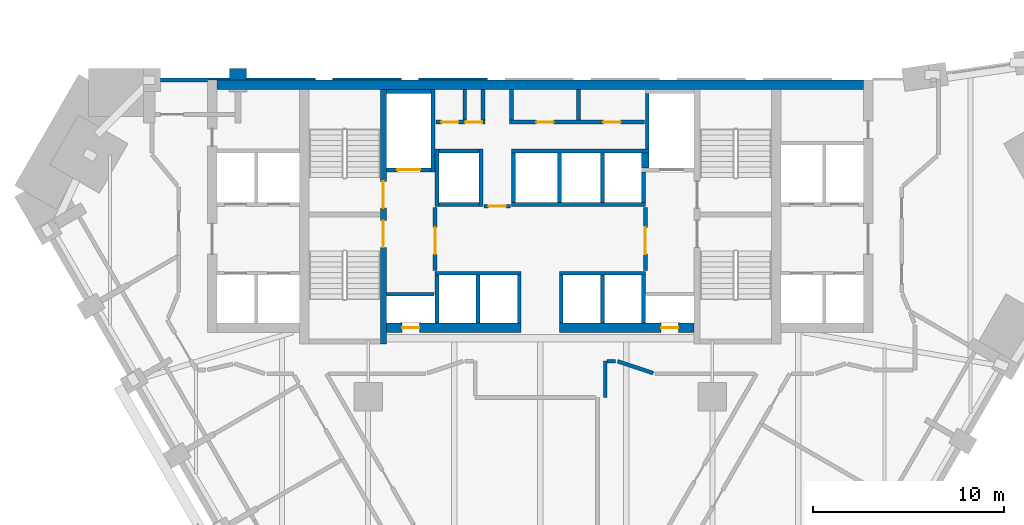
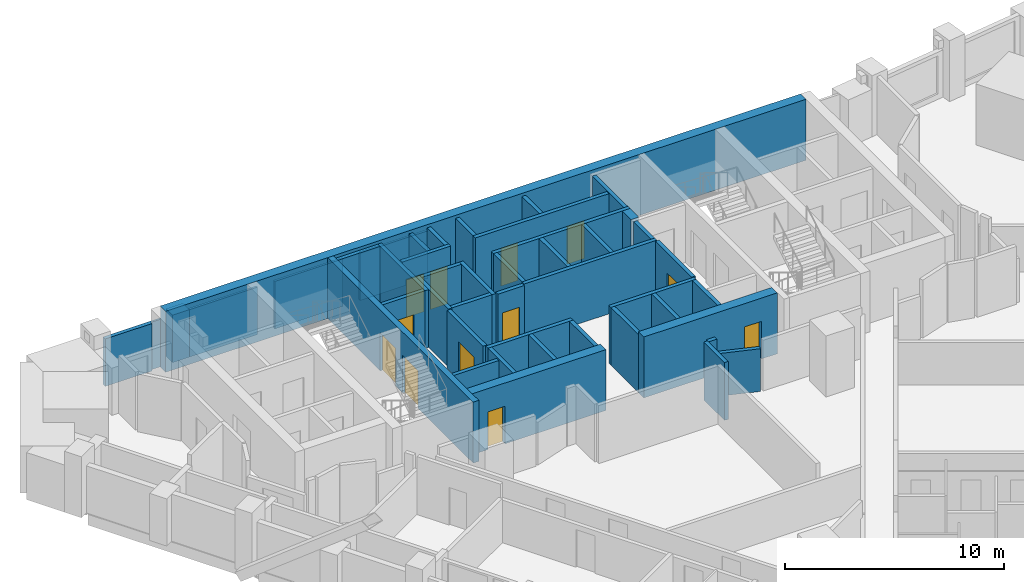
# One storey, part 7 of 11: 45 walls, 12 doors, 12 openings.
"""IFC4 building model written with IfcOpenShell, lengths in metres."""

from ifc_helpers import new_model, si_unit, direction, frame, frame_2d, origin, place, context, subcontext, project, spatial, polyline, rectangle, outline, extrude, material, layer, layer_set, type_object, element, fill, save


model = new_model("IFC4")

# Units and contexts
model_context = context("Model", 3, precision=1e-05, world=origin(), true_north=direction((0.0, 1.0)))
body_context = subcontext(model_context, "Body", "Model", "MODEL_VIEW")
ifc_project = project(units=[si_unit("LENGTHUNIT", "METRE"), si_unit("AREAUNIT", "SQUARE_METRE"), si_unit("VOLUMEUNIT", "CUBIC_METRE"), si_unit("PLANEANGLEUNIT", "RADIAN"), si_unit("MASSUNIT", "GRAM", prefix="KILO")], contexts=[model_context])

# Site, building, storey
site_placement = place(None, origin())
site = spatial("IfcSite", under=ifc_project, at=site_placement, CompositionType="ELEMENT")
building_placement = place(site_placement, origin())
building = spatial("IfcBuilding", under=site, at=building_placement, Name="Calabash Gate Tower", CompositionType="ELEMENT")
storey_placement = place(building_placement, frame((0.0, 0.0, 98.60009765625)))
storey = spatial("IfcBuildingStorey", under=building, at=storey_placement, Name="L21", CompositionType="ELEMENT", Elevation=98.60009765625)

# Walls
ifc_material_1 = material(Name="Terracotta brick masonry, exposed face", Category="masonry")
ifc_layer_1 = layer(ifc_material_1, 1.199951171875)
ifc_layer_set_1 = layer_set([ifc_layer_1], Name="Brick end wall 1200")
wall_type_1 = type_object("IfcWallType", Name="Brick end wall 1200", PredefinedType="SOLIDWALL", material=ifc_layer_set_1)
wall_1_placement = place(storey_placement, origin())
element("IfcWall", 1, at=wall_1_placement, inside=storey, type_object=wall_type_1, Name="Brick pier S05 N6.7a", PredefinedType="SOLIDWALL", context=body_context, shape_type="SweptSolid", body=[
    extrude(outline(polyline([(-15.35498046875, 19.052490234375), (-15.35498046875, 19.652587890625), (-16.255126953125, 19.652587890625), (-16.255126953125, 19.052490234375), (-15.35498046875, 19.052490234375)])), origin(), (0.0, 0.0, 1.0), 2.64990234375),
])
ifc_material_2 = material(Name="Gypsum board on steel studs, mineral wool", Category="steel")
ifc_layer_2 = layer(ifc_material_2, 0.199951171875)
ifc_layer_set_2 = layer_set([ifc_layer_2], Name="Core partition 200 gypsum board")
wall_type_2 = type_object("IfcWallType", Name="Core partition 200 gypsum board", PredefinedType="PARTITIONING", material=ifc_layer_set_2)
for number, where, z_axis, x_axis, name in (
    (2, (-3.949951171875, 16.95263671875, 0.0), (0.0, 0.0, 1.0), (0.0, 1.0, 0.0), "Core partition"),
    (3, (-3.0, 16.95263671875, 0.0), (0.0, 0.0, 1.0), (0.0, 1.0, 0.0), "Core partition"),
    (4, (-1.5, 16.95263671875, 0.0), (0.0, 0.0, 1.0), (0.0, 1.0, 0.0), "Core partition"),
    (5, (2.0, 16.95263671875, 0.0), (0.0, 0.0, 1.0), (0.0, 1.0, 0.0), "Core partition"),
):
    element("IfcWall", number, at=place(storey_placement, frame(where, z_axis=z_axis, x_axis=x_axis)), inside=storey, type_object=wall_type_2, Name=name, PredefinedType="PARTITIONING", context=body_context, shape_type="SweptSolid", body=[
        extrude(rectangle(XDim=1.599853515625, YDim=0.199951171875, at=frame_2d((0.7998046875, 0.0))), origin(), (0.0, 0.0, 1.0), 3.22998046875),
    ])

# Wall, openings, doors
ifc_material_3 = material(Name="Concrete C80/95", Category="concrete")
ifc_layer_3 = layer(ifc_material_3, 0.300048828125)
ifc_layer_set_3 = layer_set([ifc_layer_3], Name="Core wall 300 Concrete C80/95")
wall_type_3 = type_object("IfcWallType", Name="Core wall 300 Concrete C80/95", PredefinedType="SHEAR", material=ifc_layer_set_3)
wall_2_placement = place(storey_placement, frame((-8.199951171875, 5.252685546875, 0.0), z_axis=(0.0, 0.0, 1.0), x_axis=(0.0, 1.0, 0.0)))
wall_2 = element("IfcWall", 6, at=wall_2_placement, inside=storey, type_object=wall_type_3, Name="Core wall Z2-PARTW L21", PredefinedType="SHEAR", context=body_context, shape_type="SweptSolid", body=[
    extrude(rectangle(XDim=13.2998046875, YDim=0.300048828125, at=frame_2d((6.64990234375, 0.0))), origin(), (0.0, 0.0, 1.0), 3.39990234375),
])
opening_1_placement = place(wall_2_placement, frame((7.10009765625, 0.0, 0.0)))
opening_1 = element("IfcOpeningElement", 7, at=opening_1_placement, cuts=wall_2, Name="Opening H5-014", PredefinedType="OPENING", context=body_context, shape_type="SweptSolid", body=[
    extrude(rectangle(XDim=1.39990234375, YDim=2.10009765625, at=frame_2d((0.699951171875, 1.050048828125))), frame((0.0, 0.159912109375, 0.0), z_axis=(0.0, -1.0, 0.0), x_axis=(1.0, 0.0, 0.0)), (0.0, 0.0, 1.0), 0.320068359375),
])
opening_2_placement = place(wall_2_placement, frame((5.050048828125, 0.0, 0.0)))
opening_2 = element("IfcOpeningElement", 8, at=opening_2_placement, cuts=wall_2, Name="Opening H5-015", PredefinedType="OPENING", context=body_context, shape_type="SweptSolid", body=[
    extrude(rectangle(XDim=1.39990234375, YDim=2.10009765625, at=frame_2d((0.699951171875, 1.050048828125))), frame((0.0, 0.159912109375, 0.0), z_axis=(0.0, -1.0, 0.0), x_axis=(1.0, 0.0, 0.0)), (0.0, 0.0, 1.0), 0.320068359375),
])
ifc_material_4 = material(Name="Steel fire door set with fire-resisting glazing", Category="steel")
door_type_1 = type_object("IfcDoorType", Name="Fire door D05 1400x2100 FD90", OperationType="NOTDEFINED", PredefinedType="DOOR", material=ifc_material_4)
door_1_placement = place(opening_1_placement, origin())
door_1 = element("IfcDoor", 9, at=door_1_placement, inside=storey, type_object=door_type_1, Name="Exit stair door ST1", OperationType="SINGLE_SWING_LEFT", OverallHeight=2.10009765625, OverallWidth=1.39990234375, PredefinedType="DOOR", context=body_context, shape_type="SweptSolid", body=[
    extrude(rectangle(XDim=1.39990234375, YDim=2.10009765625, at=frame_2d((0.699951171875, 1.050048828125))), frame((0.0, 0.02490234375, 0.0), z_axis=(0.0, -1.0, 0.0), x_axis=(1.0, 0.0, 0.0)), (0.0, 0.0, 1.0), 0.050048828125),
])
fill(opening_1, door_1)
door_2_placement = place(opening_2_placement, origin())
door_2 = element("IfcDoor", 10, at=door_2_placement, inside=storey, type_object=door_type_1, Name="Exit stair door ST2", OperationType="SINGLE_SWING_LEFT", OverallHeight=2.10009765625, OverallWidth=1.39990234375, PredefinedType="DOOR", context=body_context, shape_type="SweptSolid", body=[
    extrude(rectangle(XDim=1.39990234375, YDim=2.10009765625, at=frame_2d((0.699951171875, 1.050048828125))), frame((0.0, 0.02490234375, 0.0), z_axis=(0.0, -1.0, 0.0), x_axis=(1.0, 0.0, 0.0)), (0.0, 0.0, 1.0), 0.050048828125),
])
fill(opening_2, door_2)

# Wall
ifc_material_5 = material(Name="Concrete C80/95", Category="concrete")
ifc_layer_4 = layer(ifc_material_5, 0.5)
ifc_layer_set_4 = layer_set([ifc_layer_4], Name="Core wall 500 Concrete C80/95")
wall_type_4 = type_object("IfcWallType", Name="Core wall 500 Concrete C80/95", PredefinedType="SHEAR", material=ifc_layer_set_4)
wall_3_placement = place(storey_placement, frame((-16.89990234375, 18.802490234375, 0.0), z_axis=(0.0, 0.0, 1.0), x_axis=(1.0, 0.0, 0.0)))
element("IfcWall", 11, at=wall_3_placement, inside=storey, type_object=wall_type_4, Name="Core wall Z2-N L21", PredefinedType="SHEAR", context=body_context, shape_type="SweptSolid", body=[
    extrude(rectangle(XDim=33.7998046875, YDim=0.5, at=frame_2d((16.89990234375, 0.0))), origin(), (0.0, 0.0, 1.0), 3.39990234375),
])

# Wall, opening, door
wall_4_placement = place(storey_placement, frame((-8.050048828125, 6.1025390625, 0.0), z_axis=(0.0, 0.0, 1.0), x_axis=(1.0, 0.0, 0.0)))
wall_4 = element("IfcWall", 12, at=wall_4_placement, inside=storey, type_object=wall_type_4, Name="Core wall Z2-SA L21", PredefinedType="SHEAR", context=body_context, shape_type="SweptSolid", body=[
    extrude(rectangle(XDim=7.050048828125, YDim=0.5, at=frame_2d((3.52490234375, 0.0))), origin(), (0.0, 0.0, 1.0), 3.39990234375),
])
opening_3_placement = place(wall_4_placement, frame((0.824951171875, 0.0, 0.0)))
opening_3 = element("IfcOpeningElement", 13, at=opening_3_placement, cuts=wall_4, Name="Opening H5-013", PredefinedType="OPENING", context=body_context, shape_type="SweptSolid", body=[
    extrude(rectangle(XDim=0.89990234375, YDim=2.10009765625, at=frame_2d((0.449951171875, 1.050048828125))), frame((0.0, 0.260009765625, 0.0), z_axis=(0.0, -1.0, 0.0), x_axis=(1.0, 0.0, 0.0)), (0.0, 0.0, 1.0), 0.52001953125),
])
ifc_material_6 = material(Name="Steel fire door set with fire-resisting glazing", Category="steel")
door_type_2 = type_object("IfcDoorType", Name="Fire door D07 900x2100 FD90", OperationType="NOTDEFINED", PredefinedType="DOOR", material=ifc_material_6)
door_3_placement = place(opening_3_placement, origin())
door_3 = element("IfcDoor", 14, at=door_3_placement, inside=storey, type_object=door_type_2, Name="Electrical Riser W door", OperationType="SINGLE_SWING_LEFT", OverallHeight=2.10009765625, OverallWidth=0.89990234375, PredefinedType="DOOR", context=body_context, shape_type="SweptSolid", body=[
    extrude(rectangle(XDim=0.89990234375, YDim=2.10009765625, at=frame_2d((0.449951171875, 1.050048828125))), frame((0.0, 0.02490234375, 0.0), z_axis=(0.0, -1.0, 0.0), x_axis=(1.0, 0.0, 0.0)), (0.0, 0.0, 1.0), 0.050048828125),
])
fill(opening_3, door_3)

wall_5_placement = place(storey_placement, frame((1.0, 6.1025390625, 0.0), z_axis=(0.0, 0.0, 1.0), x_axis=(1.0, 0.0, 0.0)))
wall_5 = element("IfcWall", 15, at=wall_5_placement, inside=storey, type_object=wall_type_4, Name="Core wall Z2-SB L21", PredefinedType="SHEAR", context=body_context, shape_type="SweptSolid", body=[
    extrude(rectangle(XDim=7.050048828125, YDim=0.5, at=frame_2d((3.52490234375, 0.0))), origin(), (0.0, 0.0, 1.0), 3.39990234375),
])
opening_4_placement = place(wall_5_placement, frame((5.324951171875, 0.0, 0.0)))
opening_4 = element("IfcOpeningElement", 16, at=opening_4_placement, cuts=wall_5, Name="Opening H5-012", PredefinedType="OPENING", context=body_context, shape_type="SweptSolid", body=[
    extrude(rectangle(XDim=0.89990234375, YDim=2.10009765625, at=frame_2d((0.449951171875, 1.050048828125))), frame((0.0, 0.260009765625, 0.0), z_axis=(0.0, -1.0, 0.0), x_axis=(1.0, 0.0, 0.0)), (0.0, 0.0, 1.0), 0.52001953125),
])
door_4_placement = place(opening_4_placement, origin())
door_4 = element("IfcDoor", 17, at=door_4_placement, inside=storey, type_object=door_type_2, Name="Mechanical Riser E door", OperationType="SINGLE_SWING_RIGHT", OverallHeight=2.10009765625, OverallWidth=0.89990234375, PredefinedType="DOOR", context=body_context, shape_type="SweptSolid", body=[
    extrude(rectangle(XDim=0.89990234375, YDim=2.10009765625, at=frame_2d((0.449951171875, 1.050048828125))), frame((0.0, 0.02490234375, 0.0), z_axis=(0.0, -1.0, 0.0), x_axis=(1.0, 0.0, 0.0)), (0.0, 0.0, 1.0), 0.050048828125),
])
fill(opening_4, door_4)

# Walls
ifc_material_7 = material(Name="Gypsum board on steel studs, mineral wool", Category="steel")
ifc_layer_5 = layer(ifc_material_7, 0.199951171875)
ifc_layer_set_5 = layer_set([ifc_layer_5], Name="Partition 200 gypsum board EI 60")
wall_type_5 = type_object("IfcWallType", Name="Partition 200 gypsum board EI 60", PredefinedType="PARTITIONING", material=ifc_layer_set_5)
wall_6_placement = place(storey_placement, frame((4.042236328125, 4.352294921875, 0.0), z_axis=(0.0, 0.0, 1.0), x_axis=(0.948695731075, -0.316190464499, 0.0)))
element("IfcWall", 18, at=wall_6_placement, inside=storey, type_object=wall_type_5, Name="Partition", PredefinedType="PARTITIONING", context=body_context, shape_type="SweptSolid", body=[
    extrude(rectangle(XDim=1.963623046875, YDim=0.199951171875, at=frame_2d((0.98193359375, 0.0))), origin(), (0.0, 0.0, 1.0), 2.384033203125),
])
wall_7_placement = place(storey_placement, frame((3.400146484375, 2.452392578125, 0.0), z_axis=(0.0, 0.0, 1.0), x_axis=(0.001028938362, 0.999999470643, 0.0)))
element("IfcWall", 19, at=wall_7_placement, inside=storey, type_object=wall_type_5, Name="Partition", PredefinedType="PARTITIONING", context=body_context, shape_type="SweptSolid", body=[
    extrude(rectangle(XDim=1.898193359375, YDim=0.199951171875, at=frame_2d((0.94921875, 0.0))), origin(), (0.0, 0.0, 1.0), 3.22998046875),
])
wall_8_placement = place(storey_placement, frame((3.501953125, 4.350830078125, 0.0), z_axis=(0.0, 0.0, 1.0), x_axis=(0.999996159087, 0.00277160798, 0.0)))
element("IfcWall", 20, at=wall_8_placement, inside=storey, type_object=wall_type_5, Name="Partition", PredefinedType="PARTITIONING", context=body_context, shape_type="SweptSolid", body=[
    extrude(rectangle(XDim=0.4404296875, YDim=0.199951171875, at=frame_2d((0.22021484375, 0.0))), origin(), (0.0, 0.0, 1.0), 3.22998046875),
])
ifc_material_8 = material(Name="Concrete C40/50", Category="concrete")
ifc_layer_6 = layer(ifc_material_8, 0.199951171875)
ifc_layer_set_6 = layer_set([ifc_layer_6], Name="Shaft wall 200 Concrete C40/50")
wall_type_6 = type_object("IfcWallType", Name="Shaft wall 200 Concrete C40/50", PredefinedType="SOLIDWALL", material=ifc_layer_set_6)
for number, where, z_axis, x_axis, name in (
    (21, (-5.39990234375, 6.3525390625, 0.0), (0.0, 0.0, 1.0), (0.0, 1.0, 0.0), "Shaft wall"),
    (22, (-3.25, 6.3525390625, 0.0), (0.0, 0.0, 1.0), (0.0, 1.0, 0.0), "Shaft wall"),
    (23, (-1.10009765625, 6.3525390625, 0.0), (0.0, 0.0, 1.0), (0.0, 1.0, 0.0), "Shaft wall"),
    (24, (1.10009765625, 6.3525390625, 0.0), (0.0, 0.0, 1.0), (0.0, 1.0, 0.0), "Shaft wall"),
    (25, (3.25, 6.3525390625, 0.0), (0.0, 0.0, 1.0), (0.0, 1.0, 0.0), "Shaft wall"),
    (26, (5.39990234375, 6.3525390625, 0.0), (0.0, 0.0, 1.0), (0.0, 1.0, 0.0), "Shaft wall"),
    (27, (-8.050048828125, 7.8525390625, 0.0), (0.0, 0.0, 1.0), (1.0, 0.0, 0.0), "Shaft wall"),
):
    element("IfcWall", number, at=place(storey_placement, frame(where, z_axis=z_axis, x_axis=x_axis)), inside=storey, type_object=wall_type_6, Name=name, PredefinedType="SOLIDWALL", context=body_context, shape_type="SweptSolid", body=[
        extrude(rectangle(XDim=2.5, YDim=0.199951171875, at=frame_2d((1.25, 0.0))), origin(), (0.0, 0.0, 1.0), 3.22998046875),
    ])
for number, where, z_axis, x_axis, name in (
    (28, (-5.5, 8.95263671875, 0.0), (0.0, 0.0, 1.0), (1.0, 0.0, 0.0), "Shaft wall"),
    (29, (1.0, 8.95263671875, 0.0), (0.0, 0.0, 1.0), (1.0, 0.0, 0.0), "Shaft wall"),
):
    element("IfcWall", number, at=place(storey_placement, frame(where, z_axis=z_axis, x_axis=x_axis)), inside=storey, type_object=wall_type_6, Name=name, PredefinedType="SOLIDWALL", context=body_context, shape_type="SweptSolid", body=[
        extrude(rectangle(XDim=4.5, YDim=0.199951171875, at=frame_2d((2.25, 0.0))), origin(), (0.0, 0.0, 1.0), 3.22998046875),
    ])

# Wall, opening, door
wall_9_placement = place(storey_placement, frame((-5.5, 9.1025390625, 0.0), z_axis=(0.0, 0.0, 1.0), x_axis=(0.0, 1.0, 0.0)))
wall_9 = element("IfcWall", 30, at=wall_9_placement, inside=storey, type_object=wall_type_6, Name="Shaft wall", PredefinedType="SOLIDWALL", context=body_context, shape_type="SweptSolid", body=[
    extrude(rectangle(XDim=3.300048828125, YDim=0.199951171875, at=frame_2d((1.64990234375, 0.0))), origin(), (0.0, 0.0, 1.0), 3.22998046875),
])
opening_5_placement = place(wall_9_placement, frame((0.85009765625, 0.0, 0.0)))
opening_5 = element("IfcOpeningElement", 31, at=opening_5_placement, cuts=wall_9, Name="Opening H5-007", PredefinedType="OPENING", context=body_context, shape_type="SweptSolid", body=[
    extrude(rectangle(XDim=1.39990234375, YDim=2.10009765625, at=frame_2d((0.699951171875, 1.050048828125))), frame((0.0, 0.10986328125, 0.0), z_axis=(0.0, -1.0, 0.0), x_axis=(1.0, 0.0, 0.0)), (0.0, 0.0, 1.0), 0.219970703125),
])
door_5_placement = place(opening_5_placement, origin())
door_5 = element("IfcDoor", 32, at=door_5_placement, inside=storey, type_object=door_type_1, Name="Firefighting Lobby W door", OperationType="SINGLE_SWING_RIGHT", OverallHeight=2.10009765625, OverallWidth=1.39990234375, PredefinedType="DOOR", context=body_context, shape_type="SweptSolid", body=[
    extrude(rectangle(XDim=1.39990234375, YDim=2.10009765625, at=frame_2d((0.699951171875, 1.050048828125))), frame((0.0, 0.02490234375, 0.0), z_axis=(0.0, -1.0, 0.0), x_axis=(1.0, 0.0, 0.0)), (0.0, 0.0, 1.0), 0.050048828125),
])
fill(opening_5, door_5)

wall_10_placement = place(storey_placement, frame((5.5, 9.1025390625, 0.0), z_axis=(0.0, 0.0, 1.0), x_axis=(0.0, 1.0, 0.0)))
wall_10 = element("IfcWall", 33, at=wall_10_placement, inside=storey, type_object=wall_type_6, Name="Shaft wall", PredefinedType="SOLIDWALL", context=body_context, shape_type="SweptSolid", body=[
    extrude(rectangle(XDim=3.300048828125, YDim=0.199951171875, at=frame_2d((1.64990234375, 0.0))), origin(), (0.0, 0.0, 1.0), 3.22998046875),
])
opening_6_placement = place(wall_10_placement, frame((0.85009765625, 0.0, 0.0)))
opening_6 = element("IfcOpeningElement", 34, at=opening_6_placement, cuts=wall_10, Name="Opening H5-006", PredefinedType="OPENING", context=body_context, shape_type="SweptSolid", body=[
    extrude(rectangle(XDim=1.39990234375, YDim=2.10009765625, at=frame_2d((0.699951171875, 1.050048828125))), frame((0.0, 0.10986328125, 0.0), z_axis=(0.0, -1.0, 0.0), x_axis=(1.0, 0.0, 0.0)), (0.0, 0.0, 1.0), 0.219970703125),
])
door_6_placement = place(opening_6_placement, origin())
door_6 = element("IfcDoor", 35, at=door_6_placement, inside=storey, type_object=door_type_1, Name="Firefighting Lobby E door", OperationType="SINGLE_SWING_LEFT", OverallHeight=2.10009765625, OverallWidth=1.39990234375, PredefinedType="DOOR", context=body_context, shape_type="SweptSolid", body=[
    extrude(rectangle(XDim=1.39990234375, YDim=2.10009765625, at=frame_2d((0.699951171875, 1.050048828125))), frame((0.0, 0.02490234375, 0.0), z_axis=(0.0, -1.0, 0.0), x_axis=(1.0, 0.0, 0.0)), (0.0, 0.0, 1.0), 0.050048828125),
])
fill(opening_6, door_6)

wall_11_placement = place(storey_placement, frame((-2.949951171875, 12.45263671875, 0.0), z_axis=(0.0, 0.0, 1.0), x_axis=(1.0, 0.0, 0.0)))
wall_11 = element("IfcWall", 36, at=wall_11_placement, inside=storey, type_object=wall_type_6, Name="Shaft wall", PredefinedType="SOLIDWALL", context=body_context, shape_type="SweptSolid", body=[
    extrude(rectangle(XDim=1.39990234375, YDim=0.199951171875, at=frame_2d((0.699951171875, 0.0))), origin(), (0.0, 0.0, 1.0), 3.22998046875),
])
opening_7_placement = place(wall_11_placement, frame((0.25, 0.0, 0.0)))
opening_7 = element("IfcOpeningElement", 37, at=opening_7_placement, cuts=wall_11, Name="Opening H5-005", PredefinedType="OPENING", context=body_context, shape_type="SweptSolid", body=[
    extrude(rectangle(XDim=0.89990234375, YDim=2.10009765625, at=frame_2d((0.449951171875, 1.050048828125))), frame((0.0, 0.10986328125, 0.0), z_axis=(0.0, -1.0, 0.0), x_axis=(1.0, 0.0, 0.0)), (0.0, 0.0, 1.0), 0.219970703125),
])
ifc_material_9 = material(Name="Steel fire door set with fire-resisting glazing", Category="steel")
door_type_3 = type_object("IfcDoorType", Name="Fire door D06 900x2100 FD60", OperationType="NOTDEFINED", PredefinedType="DOOR", material=ifc_material_9)
door_7_placement = place(opening_7_placement, origin())
door_7 = element("IfcDoor", 38, at=door_7_placement, inside=storey, type_object=door_type_3, Name="Service Corridor door", OperationType="SINGLE_SWING_RIGHT", OverallHeight=2.10009765625, OverallWidth=0.89990234375, PredefinedType="DOOR", context=body_context, shape_type="SweptSolid", body=[
    extrude(rectangle(XDim=0.89990234375, YDim=2.10009765625, at=frame_2d((0.449951171875, 1.050048828125))), frame((0.0, 0.02490234375, 0.0), z_axis=(0.0, -1.0, 0.0), x_axis=(1.0, 0.0, 0.0)), (0.0, 0.0, 1.0), 0.050048828125),
])
fill(opening_7, door_7)

# Walls
wall_12_placement = place(storey_placement, frame((-5.39990234375, 12.45263671875, 0.0), z_axis=(0.0, 0.0, 1.0), x_axis=(0.0, 1.0, 0.0)))
element("IfcWall", 39, at=wall_12_placement, inside=storey, type_object=wall_type_6, Name="Shaft wall", PredefinedType="SOLIDWALL", context=body_context, shape_type="SweptSolid", body=[
    extrude(rectangle(XDim=3.0, YDim=0.199951171875, at=frame_2d((1.5, 0.0))), origin(), (0.0, 0.0, 1.0), 3.22998046875),
])
wall_13_placement = place(storey_placement, frame((-5.300048828125, 12.552490234375, 0.0), z_axis=(0.0, 0.0, 1.0), x_axis=(1.0, 0.0, 0.0)))
element("IfcWall", 40, at=wall_13_placement, inside=storey, type_object=wall_type_6, Name="Shaft wall", PredefinedType="SOLIDWALL", context=body_context, shape_type="SweptSolid", body=[
    extrude(rectangle(XDim=2.10009765625, YDim=0.199951171875, at=frame_2d((1.050048828125, 0.0))), origin(), (0.0, 0.0, 1.0), 3.22998046875),
])
wall_14_placement = place(storey_placement, frame((-3.10009765625, 12.45263671875, 0.0), z_axis=(0.0, 0.0, 1.0), x_axis=(0.0, 1.0, 0.0)))
element("IfcWall", 41, at=wall_14_placement, inside=storey, type_object=wall_type_6, Name="Shaft wall", PredefinedType="SOLIDWALL", context=body_context, shape_type="SweptSolid", body=[
    extrude(rectangle(XDim=3.0, YDim=0.199951171875, at=frame_2d((1.5, 0.0))), origin(), (0.0, 0.0, 1.0), 3.22998046875),
])
wall_15_placement = place(storey_placement, frame((-1.5, 12.552490234375, 0.0), z_axis=(0.0, 0.0, 1.0), x_axis=(1.0, 0.0, 0.0)))
element("IfcWall", 42, at=wall_15_placement, inside=storey, type_object=wall_type_6, Name="Shaft wall", PredefinedType="SOLIDWALL", context=body_context, shape_type="SweptSolid", body=[
    extrude(rectangle(XDim=7.0, YDim=0.199951171875, at=frame_2d((3.5, 0.0))), origin(), (0.0, 0.0, 1.0), 3.22998046875),
])
for number, where, z_axis, x_axis, name in (
    (43, (-1.39990234375, 12.652587890625, 0.0), (0.0, 0.0, 1.0), (0.0, 1.0, 0.0), "Shaft wall"),
    (44, (1.0, 12.652587890625, 0.0), (0.0, 0.0, 1.0), (0.0, 1.0, 0.0), "Shaft wall"),
    (45, (3.25, 12.652587890625, 0.0), (0.0, 0.0, 1.0), (0.0, 1.0, 0.0), "Shaft wall"),
):
    element("IfcWall", number, at=place(storey_placement, frame(where, z_axis=z_axis, x_axis=x_axis)), inside=storey, type_object=wall_type_6, Name=name, PredefinedType="SOLIDWALL", context=body_context, shape_type="SweptSolid", body=[
        extrude(rectangle(XDim=2.60009765625, YDim=0.199951171875, at=frame_2d((1.300048828125, 0.0))), origin(), (0.0, 0.0, 1.0), 3.22998046875),
    ])
wall_16_placement = place(storey_placement, frame((5.39990234375, 12.652587890625, 0.0), z_axis=(0.0, 0.0, 1.0), x_axis=(0.0, 1.0, 0.0)))
element("IfcWall", 46, at=wall_16_placement, inside=storey, type_object=wall_type_6, Name="Shaft wall", PredefinedType="SOLIDWALL", context=body_context, shape_type="SweptSolid", body=[
    extrude(rectangle(XDim=1.60009765625, YDim=0.199951171875, at=frame_2d((0.800048828125, 0.0))), origin(), (0.0, 0.0, 1.0), 3.22998046875),
])

# Wall, opening, door
wall_17_placement = place(storey_placement, frame((-8.050048828125, 14.3525390625, 0.0), z_axis=(0.0, 0.0, 1.0), x_axis=(1.0, 0.0, 0.0)))
wall_17 = element("IfcWall", 47, at=wall_17_placement, inside=storey, type_object=wall_type_6, Name="Shaft wall", PredefinedType="SOLIDWALL", context=body_context, shape_type="SweptSolid", body=[
    extrude(rectangle(XDim=2.35009765625, YDim=0.199951171875, at=frame_2d((1.175048828125, 0.0))), origin(), (0.0, 0.0, 1.0), 3.22998046875),
])
opening_8_placement = place(wall_17_placement, frame((0.574951171875, 0.0, 0.0)))
opening_8 = element("IfcOpeningElement", 48, at=opening_8_placement, cuts=wall_17, Name="Opening LD-FF1", PredefinedType="OPENING", context=body_context, shape_type="SweptSolid", body=[
    extrude(rectangle(XDim=1.199951171875, YDim=2.10009765625, at=frame_2d((0.60009765625, 1.050048828125))), frame((0.0, 0.10986328125, 0.0), z_axis=(0.0, -1.0, 0.0), x_axis=(1.0, 0.0, 0.0)), (0.0, 0.0, 1.0), 0.219970703125),
])
ifc_material_10 = material(Name="Stainless steel sliding door leaves", Category="steel")
door_type_4 = type_object("IfcDoorType", Name="Lift landing door LS3 1200x2100 FD90", OperationType="DOUBLE_DOOR_SLIDING", PredefinedType="DOOR", material=ifc_material_10)
door_8_placement = place(opening_8_placement, origin())
door_8 = element("IfcDoor", 49, at=door_8_placement, inside=storey, type_object=door_type_4, Name="Lift landing door FF1", OperationType="DOUBLE_DOOR_SLIDING", OverallHeight=2.10009765625, OverallWidth=1.199951171875, PredefinedType="DOOR", context=body_context, shape_type="SweptSolid", body=[
    extrude(rectangle(XDim=1.199951171875, YDim=2.10009765625, at=frame_2d((0.60009765625, 1.050048828125))), frame((0.0, 0.02490234375, 0.0), z_axis=(0.0, -1.0, 0.0), x_axis=(1.0, 0.0, 0.0)), (0.0, 0.0, 1.0), 0.050048828125),
])
fill(opening_8, door_8)

# Walls
wall_18_placement = place(storey_placement, frame((-5.60009765625, 14.252685546875, 0.0), z_axis=(0.0, 0.0, 1.0), x_axis=(0.0, 1.0, 0.0)))
element("IfcWall", 50, at=wall_18_placement, inside=storey, type_object=wall_type_6, Name="Shaft wall", PredefinedType="SOLIDWALL", context=body_context, shape_type="SweptSolid", body=[
    extrude(rectangle(XDim=4.2998046875, YDim=0.199951171875, at=frame_2d((2.14990234375, 0.0))), origin(), (0.0, 0.0, 1.0), 3.22998046875),
])
wall_19_placement = place(storey_placement, frame((5.5, 14.45263671875, 0.0), z_axis=(0.0, 0.0, 1.0), x_axis=(0.0, 1.0, 0.0)))
element("IfcWall", 51, at=wall_19_placement, inside=storey, type_object=wall_type_6, Name="Shaft wall", PredefinedType="SOLIDWALL", context=body_context, shape_type="SweptSolid", body=[
    extrude(rectangle(XDim=0.800048828125, YDim=0.39990234375, at=frame_2d((0.39990234375, 0.0))), origin(), (0.0, 0.0, 1.0), 3.22998046875),
])
wall_20_placement = place(storey_placement, frame((-5.300048828125, 15.3525390625, 0.0), z_axis=(0.0, 0.0, 1.0), x_axis=(1.0, 0.0, 0.0)))
element("IfcWall", 52, at=wall_20_placement, inside=storey, type_object=wall_type_6, Name="Shaft wall", PredefinedType="SOLIDWALL", context=body_context, shape_type="SweptSolid", body=[
    extrude(rectangle(XDim=2.10009765625, YDim=0.199951171875, at=frame_2d((1.050048828125, 0.0))), origin(), (0.0, 0.0, 1.0), 3.22998046875),
])
wall_21_placement = place(storey_placement, frame((-1.5, 15.3525390625, 0.0), z_axis=(0.0, 0.0, 1.0), x_axis=(1.0, 0.0, 0.0)))
element("IfcWall", 53, at=wall_21_placement, inside=storey, type_object=wall_type_6, Name="Shaft wall", PredefinedType="SOLIDWALL", context=body_context, shape_type="SweptSolid", body=[
    extrude(rectangle(XDim=7.199951171875, YDim=0.199951171875, at=frame_2d((3.60009765625, 0.0))), origin(), (0.0, 0.0, 1.0), 3.22998046875),
])
wall_22_placement = place(storey_placement, frame((5.60009765625, 15.45263671875, 0.0), z_axis=(0.0, 0.0, 1.0), x_axis=(0.0, 1.0, 0.0)))
element("IfcWall", 54, at=wall_22_placement, inside=storey, type_object=wall_type_6, Name="Shaft wall", PredefinedType="SOLIDWALL", context=body_context, shape_type="SweptSolid", body=[
    extrude(rectangle(XDim=2.89990234375, YDim=0.199951171875, at=frame_2d((1.449951171875, 0.0))), origin(), (0.0, 0.0, 1.0), 3.22998046875),
])

# Wall, openings, doors
wall_23_placement = place(storey_placement, frame((-5.449951171875, 16.8525390625, 0.0), z_axis=(0.0, 0.0, 1.0), x_axis=(1.0, 0.0, 0.0)))
wall_23 = element("IfcWall", 55, at=wall_23_placement, inside=storey, type_object=wall_type_6, Name="Shaft wall", PredefinedType="SOLIDWALL", context=body_context, shape_type="SweptSolid", body=[
    extrude(rectangle(XDim=2.550048828125, YDim=0.199951171875, at=frame_2d((1.27490234375, 0.0))), origin(), (0.0, 0.0, 1.0), 3.22998046875),
])
opening_9_placement = place(wall_23_placement, frame((0.27490234375, 0.0, 0.0)))
opening_9 = element("IfcOpeningElement", 56, at=opening_9_placement, cuts=wall_23, Name="Opening H5-008", PredefinedType="OPENING", context=body_context, shape_type="SweptSolid", body=[
    extrude(rectangle(XDim=0.89990234375, YDim=2.10009765625, at=frame_2d((0.449951171875, 1.050048828125))), frame((0.0, 0.10986328125, 0.0), z_axis=(0.0, -1.0, 0.0), x_axis=(1.0, 0.0, 0.0)), (0.0, 0.0, 1.0), 0.219970703125),
])
opening_10_placement = place(wall_23_placement, frame((1.52490234375, 0.0, 0.0)))
opening_10 = element("IfcOpeningElement", 57, at=opening_10_placement, cuts=wall_23, Name="Opening H5-009", PredefinedType="OPENING", context=body_context, shape_type="SweptSolid", body=[
    extrude(rectangle(XDim=0.89990234375, YDim=2.10009765625, at=frame_2d((0.449951171875, 1.050048828125))), frame((0.0, 0.10986328125, 0.0), z_axis=(0.0, -1.0, 0.0), x_axis=(1.0, 0.0, 0.0)), (0.0, 0.0, 1.0), 0.219970703125),
])
door_9_placement = place(opening_9_placement, origin())
door_9 = element("IfcDoor", 58, at=door_9_placement, inside=storey, type_object=door_type_3, Name="Hotel Pantry door", OperationType="SINGLE_SWING_LEFT", OverallHeight=2.10009765625, OverallWidth=0.89990234375, PredefinedType="DOOR", context=body_context, shape_type="SweptSolid", body=[
    extrude(rectangle(XDim=0.89990234375, YDim=2.10009765625, at=frame_2d((0.449951171875, 1.050048828125))), frame((0.0, 0.02490234375, 0.0), z_axis=(0.0, -1.0, 0.0), x_axis=(1.0, 0.0, 0.0)), (0.0, 0.0, 1.0), 0.050048828125),
])
fill(opening_9, door_9)
door_10_placement = place(opening_10_placement, origin())
door_10 = element("IfcDoor", 59, at=door_10_placement, inside=storey, type_object=door_type_3, Name="Luggage Store door", OperationType="SINGLE_SWING_LEFT", OverallHeight=2.10009765625, OverallWidth=0.89990234375, PredefinedType="DOOR", context=body_context, shape_type="SweptSolid", body=[
    extrude(rectangle(XDim=0.89990234375, YDim=2.10009765625, at=frame_2d((0.449951171875, 1.050048828125))), frame((0.0, 0.02490234375, 0.0), z_axis=(0.0, -1.0, 0.0), x_axis=(1.0, 0.0, 0.0)), (0.0, 0.0, 1.0), 0.050048828125),
])
fill(opening_10, door_10)

wall_24_placement = place(storey_placement, frame((-1.60009765625, 16.8525390625, 0.0), z_axis=(0.0, 0.0, 1.0), x_axis=(1.0, 0.0, 0.0)))
wall_24 = element("IfcWall", 60, at=wall_24_placement, inside=storey, type_object=wall_type_6, Name="Shaft wall", PredefinedType="SOLIDWALL", context=body_context, shape_type="SweptSolid", body=[
    extrude(rectangle(XDim=7.050048828125, YDim=0.199951171875, at=frame_2d((3.52490234375, 0.0))), origin(), (0.0, 0.0, 1.0), 3.22998046875),
])
opening_11_placement = place(wall_24_placement, frame((1.39990234375, 0.0, 0.0)))
opening_11 = element("IfcOpeningElement", 61, at=opening_11_placement, cuts=wall_24, Name="Opening H5-010", PredefinedType="OPENING", context=body_context, shape_type="SweptSolid", body=[
    extrude(rectangle(XDim=0.89990234375, YDim=2.10009765625, at=frame_2d((0.449951171875, 1.050048828125))), frame((0.0, 0.10986328125, 0.0), z_axis=(0.0, -1.0, 0.0), x_axis=(1.0, 0.0, 0.0)), (0.0, 0.0, 1.0), 0.219970703125),
])
opening_12_placement = place(wall_24_placement, frame((4.89990234375, 0.0, 0.0)))
opening_12 = element("IfcOpeningElement", 62, at=opening_12_placement, cuts=wall_24, Name="Opening H5-011", PredefinedType="OPENING", context=body_context, shape_type="SweptSolid", body=[
    extrude(rectangle(XDim=0.89990234375, YDim=2.10009765625, at=frame_2d((0.449951171875, 1.050048828125))), frame((0.0, 0.10986328125, 0.0), z_axis=(0.0, -1.0, 0.0), x_axis=(1.0, 0.0, 0.0)), (0.0, 0.0, 1.0), 0.219970703125),
])
door_11_placement = place(opening_11_placement, origin())
door_11 = element("IfcDoor", 63, at=door_11_placement, inside=storey, type_object=door_type_3, Name="Comms Room door", OperationType="SINGLE_SWING_LEFT", OverallHeight=2.10009765625, OverallWidth=0.89990234375, PredefinedType="DOOR", context=body_context, shape_type="SweptSolid", body=[
    extrude(rectangle(XDim=0.89990234375, YDim=2.10009765625, at=frame_2d((0.449951171875, 1.050048828125))), frame((0.0, 0.02490234375, 0.0), z_axis=(0.0, -1.0, 0.0), x_axis=(1.0, 0.0, 0.0)), (0.0, 0.0, 1.0), 0.050048828125),
])
fill(opening_11, door_11)
door_12_placement = place(opening_12_placement, origin())
door_12 = element("IfcDoor", 64, at=door_12_placement, inside=storey, type_object=door_type_3, Name="Housekeeping Store door", OperationType="SINGLE_SWING_LEFT", OverallHeight=2.10009765625, OverallWidth=0.89990234375, PredefinedType="DOOR", context=body_context, shape_type="SweptSolid", body=[
    extrude(rectangle(XDim=0.89990234375, YDim=2.10009765625, at=frame_2d((0.449951171875, 1.050048828125))), frame((0.0, 0.02490234375, 0.0), z_axis=(0.0, -1.0, 0.0), x_axis=(1.0, 0.0, 0.0)), (0.0, 0.0, 1.0), 0.050048828125),
])
fill(opening_12, door_12)

# Walls
wall_25_placement = place(storey_placement, frame((-8.050048828125, 18.45263671875, 0.0), z_axis=(0.0, 0.0, 1.0), x_axis=(1.0, 0.0, 0.0)))
element("IfcWall", 65, at=wall_25_placement, inside=storey, type_object=wall_type_6, Name="Shaft wall", PredefinedType="SOLIDWALL", context=body_context, shape_type="SweptSolid", body=[
    extrude(rectangle(XDim=2.35009765625, YDim=0.199951171875, at=frame_2d((1.175048828125, 0.0))), origin(), (0.0, 0.0, 1.0), 3.22998046875),
])
ifc_material_11 = material(Name="Terracotta brick masonry, perforated", Category="masonry")
ifc_layer_7 = layer(ifc_material_11, 0.1201171875)
ifc_layer_set_7 = layer_set([ifc_layer_7], Name="Terracotta jaali cladding A 120")
wall_type_7 = type_object("IfcWallType", Name="Terracotta jaali cladding A 120", PredefinedType="SOLIDWALL", material=ifc_layer_set_7)
wall_26_placement = place(storey_placement, origin())
element("IfcWall", 66, at=wall_26_placement, inside=storey, type_object=wall_type_7, Name="Jaali cladding S05 N6.5", PredefinedType="SOLIDWALL", context=body_context, shape_type="SweptSolid", body=[
    extrude(outline(polyline([(-6.35498046875, 19.172607421875), (-6.35498046875, 19.052490234375), (-2.755126953125, 19.052490234375), (-2.755126953125, 19.172607421875), (-6.35498046875, 19.172607421875)])), origin(), (0.0, 0.0, 1.0), 2.64990234375),
])
wall_27_placement = place(storey_placement, origin())
element("IfcWall", 67, at=wall_27_placement, inside=storey, type_object=wall_type_7, Name="Jaali cladding S05 N6.7", PredefinedType="SOLIDWALL", context=body_context, shape_type="SweptSolid", body=[
    extrude(outline(polyline([(-15.3544921875, 19.172607421875), (-15.3544921875, 19.052490234375), (-11.755126953125, 19.052490234375), (-11.755126953125, 19.172607421875), (-15.3544921875, 19.172607421875)])), origin(), (0.0, 0.0, 1.0), 2.64990234375),
])
ifc_material_12 = material(Name="Terracotta brick masonry, perforated", Category="masonry")
ifc_layer_8 = layer(ifc_material_12, 0.199951171875)
ifc_layer_set_8 = layer_set([ifc_layer_8], Name="Terracotta jaali screen A")
wall_type_8 = type_object("IfcWallType", Name="Terracotta jaali screen A", PredefinedType="SOLIDWALL", material=ifc_layer_set_8)
wall_28_placement = place(storey_placement, origin())
element("IfcWall", 68, at=wall_28_placement, inside=storey, type_object=wall_type_8, Name="SCREEN A S05 N6.8", PredefinedType="SOLIDWALL", context=body_context, shape_type="SweptSolid", body=[
    extrude(outline(polyline([(-16.255126953125, 19.052490234375), (-16.255126953125, 19.152587890625), (-19.85302734375, 19.152587890625), (-19.85302734375, 18.95263671875), (-17.39990234375, 18.95263671875), (-17.39990234375, 19.052490234375), (-16.255126953125, 19.052490234375)])), origin(), (0.0, 0.0, 1.0), 2.64990234375),
])
ifc_material_13 = material(Name="Terracotta louvre blades in an aluminium frame", Category="masonry")
ifc_layer_9 = layer(ifc_material_13, 0.1201171875)
ifc_layer_set_9 = layer_set([ifc_layer_9], Name="Terracotta vent louvre cladding 120")
wall_type_9 = type_object("IfcWallType", Name="Terracotta vent louvre cladding 120", PredefinedType="ELEMENTEDWALL", material=ifc_layer_set_9)
wall_29_placement = place(storey_placement, origin())
element("IfcWall", 69, at=wall_29_placement, inside=storey, type_object=wall_type_9, Name="Vent louvre cladding S05 N6.6", PredefinedType="ELEMENTEDWALL", context=body_context, shape_type="SweptSolid", body=[
    extrude(outline(polyline([(-10.85498046875, 19.172607421875), (-10.85498046875, 19.052490234375), (-7.255126953125, 19.052490234375), (-7.255126953125, 19.172607421875), (-10.85498046875, 19.172607421875)])), origin(), (0.0, 0.0, 1.0), 2.64990234375),
])

save(model, "model.ifc")
